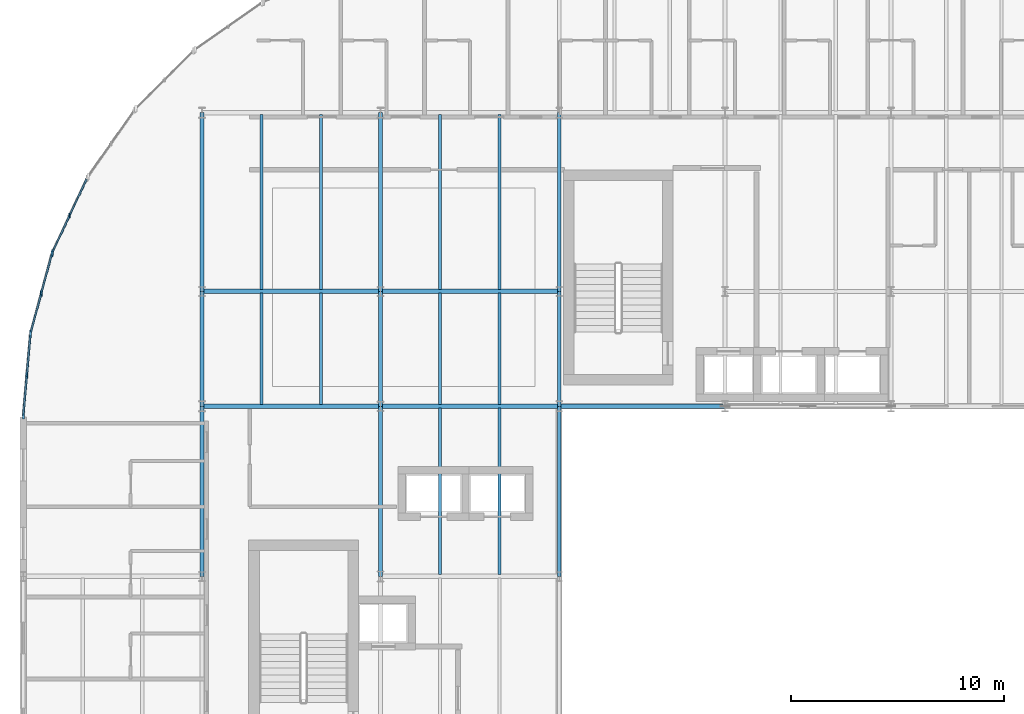
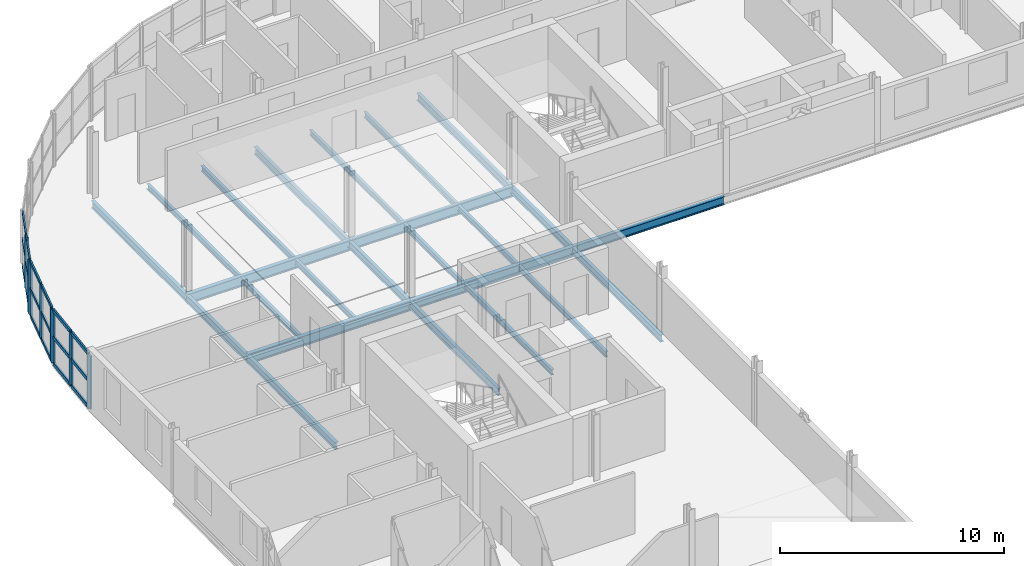
# One storey, part 9 of 36: 26 members, 24 beams, 3 elements without a shape of their own.
"""IFC4 building model written with IfcOpenShell, lengths in metres."""

from ifc_helpers import new_model, si_unit, direction, frame, origin, origin_2d, place, context, subcontext, project, spatial, rectangle, i_section, extrude, material, layer, layer_set, material_profile, profile_set, type_object, element, aggregate, save


model = new_model("IFC4")

# Units and contexts
model_context = context("Model", 3, precision=1e-05, world=origin(), true_north=direction((0.0, 1.0)))
body_context = subcontext(model_context, "Body", "Model", "MODEL_VIEW")
ifc_project = project(units=[si_unit("LENGTHUNIT", "METRE"), si_unit("AREAUNIT", "SQUARE_METRE"), si_unit("VOLUMEUNIT", "CUBIC_METRE"), si_unit("PLANEANGLEUNIT", "RADIAN"), si_unit("MASSUNIT", "GRAM", prefix="KILO")], contexts=[model_context])

# Site, building, storey
site_placement = place(None, origin())
site = spatial("IfcSite", under=ifc_project, at=site_placement, CompositionType="ELEMENT")
building_placement = place(site_placement, origin())
building = spatial("IfcBuilding", under=site, at=building_placement, Name="Sefraquen Railside Congress Hotel", CompositionType="ELEMENT")
storey_placement = place(building_placement, frame((0.0, 0.0, 24.60009765625)))
storey = spatial("IfcBuildingStorey", under=building, at=storey_placement, Name="L05", CompositionType="ELEMENT", Elevation=24.60009765625)

# Beams
ifc_material_1 = material(Name="Steel S355JR", Category="steel")
ifc_material_profile_1 = material_profile(ifc_material_1, i_section(OverallWidth=0.179931640625, OverallDepth=0.39990234375, WebThickness=0.008544921875, FlangeThickness=0.013427734375, FilletRadius=0.02099609375, at=origin_2d()), Name="IPE 400")
ifc_profile_set_1 = profile_set([ifc_material_profile_1], Name="Steel S355JR")
beam_type_1 = type_object("IfcBeamType", Name="TB-BM-400I", PredefinedType="BEAM", material=ifc_profile_set_1)
beam_1_placement = place(storey_placement, frame((8.39990234375, 88.0, -0.460205078125), z_axis=(0.0, 1.0, 0.0), x_axis=(-1.0, 0.0, 0.0)))
element("IfcBeam", 1, at=beam_1_placement, inside=storey, type_object=beam_type_1, Name="Floor beam BM-L05-1510", PredefinedType="BEAM", context=body_context, shape_type="SweptSolid", body=[
    extrude(i_section(OverallWidth=0.179931640625, OverallDepth=0.39990234375, WebThickness=0.008544921875, FlangeThickness=0.013427734375, FilletRadius=0.02099609375, at=origin_2d()), origin(), (0.0, 0.0, 1.0), 8.0),
])
beam_2_placement = place(storey_placement, frame((8.39990234375, 96.0, -0.460205078125), z_axis=(0.0, 1.0, 0.0), x_axis=(-1.0, 0.0, 0.0)))
element("IfcBeam", 2, at=beam_2_placement, inside=storey, type_object=beam_type_1, Name="Floor beam BM-L05-1511", PredefinedType="BEAM", context=body_context, shape_type="SweptSolid", body=[
    extrude(i_section(OverallWidth=0.179931640625, OverallDepth=0.39990234375, WebThickness=0.008544921875, FlangeThickness=0.013427734375, FilletRadius=0.02099609375, at=origin_2d()), origin(), (0.0, 0.0, 1.0), 5.39990234375),
])
beam_3_placement = place(storey_placement, frame((8.39990234375, 101.39990234375, -0.460205078125), z_axis=(0.0, 1.0, 0.0), x_axis=(-1.0, 0.0, 0.0)))
element("IfcBeam", 3, at=beam_3_placement, inside=storey, type_object=beam_type_1, Name="Floor beam BM-L05-1512", PredefinedType="BEAM", context=body_context, shape_type="SweptSolid", body=[
    extrude(i_section(OverallWidth=0.179931640625, OverallDepth=0.39990234375, WebThickness=0.008544921875, FlangeThickness=0.013427734375, FilletRadius=0.02099609375, at=origin_2d()), origin(), (0.0, 0.0, 1.0), 8.400146484375),
])
beam_4_placement = place(storey_placement, frame((16.800048828125, 88.0, -0.460205078125), z_axis=(0.0, 1.0, 0.0), x_axis=(-1.0, 0.0, 0.0)))
element("IfcBeam", 4, at=beam_4_placement, inside=storey, type_object=beam_type_1, Name="Floor beam BM-L05-1516", PredefinedType="BEAM", context=body_context, shape_type="SweptSolid", body=[
    extrude(i_section(OverallWidth=0.179931640625, OverallDepth=0.39990234375, WebThickness=0.008544921875, FlangeThickness=0.013427734375, FilletRadius=0.02099609375, at=origin_2d()), origin(), (0.0, 0.0, 1.0), 8.0),
])
beam_5_placement = place(storey_placement, frame((16.800048828125, 96.0, -0.460205078125), z_axis=(0.0, 1.0, 0.0), x_axis=(-1.0, 0.0, 0.0)))
element("IfcBeam", 5, at=beam_5_placement, inside=storey, type_object=beam_type_1, Name="Floor beam BM-L05-1517", PredefinedType="BEAM", context=body_context, shape_type="SweptSolid", body=[
    extrude(i_section(OverallWidth=0.179931640625, OverallDepth=0.39990234375, WebThickness=0.008544921875, FlangeThickness=0.013427734375, FilletRadius=0.02099609375, at=origin_2d()), origin(), (0.0, 0.0, 1.0), 5.39990234375),
])
beam_6_placement = place(storey_placement, frame((16.800048828125, 101.39990234375, -0.460205078125), z_axis=(0.0, 1.0, 0.0), x_axis=(-1.0, 0.0, 0.0)))
element("IfcBeam", 6, at=beam_6_placement, inside=storey, type_object=beam_type_1, Name="Floor beam BM-L05-1518", PredefinedType="BEAM", context=body_context, shape_type="SweptSolid", body=[
    extrude(i_section(OverallWidth=0.179931640625, OverallDepth=0.39990234375, WebThickness=0.008544921875, FlangeThickness=0.013427734375, FilletRadius=0.02099609375, at=origin_2d()), origin(), (0.0, 0.0, 1.0), 8.400146484375),
])
beam_7_placement = place(storey_placement, frame((25.199951171875, 88.0, -0.460205078125), z_axis=(0.0, 1.0, 0.0), x_axis=(-1.0, 0.0, 0.0)))
element("IfcBeam", 7, at=beam_7_placement, inside=storey, type_object=beam_type_1, Name="Floor beam BM-L05-1522", PredefinedType="BEAM", context=body_context, shape_type="SweptSolid", body=[
    extrude(i_section(OverallWidth=0.179931640625, OverallDepth=0.39990234375, WebThickness=0.008544921875, FlangeThickness=0.013427734375, FilletRadius=0.02099609375, at=origin_2d()), origin(), (0.0, 0.0, 1.0), 8.0),
])
beam_8_placement = place(storey_placement, frame((25.199951171875, 96.0, -0.460205078125), z_axis=(0.0, 1.0, 0.0), x_axis=(-1.0, 0.0, 0.0)))
element("IfcBeam", 8, at=beam_8_placement, inside=storey, type_object=beam_type_1, Name="Floor beam BM-L05-1523", PredefinedType="BEAM", context=body_context, shape_type="SweptSolid", body=[
    extrude(i_section(OverallWidth=0.179931640625, OverallDepth=0.39990234375, WebThickness=0.008544921875, FlangeThickness=0.013427734375, FilletRadius=0.02099609375, at=origin_2d()), origin(), (0.0, 0.0, 1.0), 5.39990234375),
])
beam_9_placement = place(storey_placement, frame((25.199951171875, 101.39990234375, -0.460205078125), z_axis=(0.0, 1.0, 0.0), x_axis=(-1.0, 0.0, 0.0)))
element("IfcBeam", 9, at=beam_9_placement, inside=storey, type_object=beam_type_1, Name="Floor beam BM-L05-1524", PredefinedType="BEAM", context=body_context, shape_type="SweptSolid", body=[
    extrude(i_section(OverallWidth=0.179931640625, OverallDepth=0.39990234375, WebThickness=0.008544921875, FlangeThickness=0.013427734375, FilletRadius=0.02099609375, at=origin_2d()), origin(), (0.0, 0.0, 1.0), 8.400146484375),
])
ifc_material_profile_2 = material_profile(ifc_material_1, i_section(OverallWidth=0.18994140625, OverallDepth=0.449951171875, WebThickness=0.009521484375, FlangeThickness=0.0146484375, FilletRadius=0.02099609375, at=origin_2d()), Name="IPE 450")
ifc_profile_set_2 = profile_set([ifc_material_profile_2], Name="Steel S355JR")
beam_type_2 = type_object("IfcBeamType", Name="TB-BM-450", PredefinedType="BEAM", material=ifc_profile_set_2)
beam_10_placement = place(storey_placement, frame((25.199951171875, 96.0, -0.485107421875), z_axis=(1.0, 0.0, 0.0), x_axis=(0.0, 1.0, 0.0)))
element("IfcBeam", 10, at=beam_10_placement, inside=storey, type_object=beam_type_2, Name="Primary girder BM-L05-1453", PredefinedType="BEAM", context=body_context, shape_type="SweptSolid", body=[
    extrude(i_section(OverallWidth=0.18994140625, OverallDepth=0.449951171875, WebThickness=0.009521484375, FlangeThickness=0.0146484375, FilletRadius=0.02099609375, at=origin_2d()), origin(), (0.0, 0.0, 1.0), 7.800048828125),
])
ifc_material_profile_3 = material_profile(ifc_material_1, i_section(OverallWidth=0.2099609375, OverallDepth=0.550048828125, WebThickness=0.010986328125, FlangeThickness=0.01708984375, FilletRadius=0.02392578125, at=origin_2d()), Name="IPE 550")
ifc_profile_set_3 = profile_set([ifc_material_profile_3], Name="Steel S355JR")
beam_type_3 = type_object("IfcBeamType", Name="TB-GIR-550", PredefinedType="T_BEAM", material=ifc_profile_set_3)
beam_11_placement = place(storey_placement, frame((8.39990234375, 96.0, -0.53515625), z_axis=(1.0, 0.0, 0.0), x_axis=(0.0, 1.0, 0.0)))
element("IfcBeam", 11, at=beam_11_placement, inside=storey, type_object=beam_type_3, Name="Primary girder BM-L05-1451", PredefinedType="T_BEAM", context=body_context, shape_type="SweptSolid", body=[
    extrude(i_section(OverallWidth=0.2099609375, OverallDepth=0.550048828125, WebThickness=0.010986328125, FlangeThickness=0.01708984375, FilletRadius=0.02392578125, at=origin_2d()), origin(), (0.0, 0.0, 1.0), 8.400146484375),
])
beam_12_placement = place(storey_placement, frame((16.800048828125, 96.0, -0.53515625), z_axis=(1.0, 0.0, 0.0), x_axis=(0.0, 1.0, 0.0)))
element("IfcBeam", 12, at=beam_12_placement, inside=storey, type_object=beam_type_3, Name="Primary girder BM-L05-1452", PredefinedType="T_BEAM", context=body_context, shape_type="SweptSolid", body=[
    extrude(i_section(OverallWidth=0.2099609375, OverallDepth=0.550048828125, WebThickness=0.010986328125, FlangeThickness=0.01708984375, FilletRadius=0.02392578125, at=origin_2d()), origin(), (0.0, 0.0, 1.0), 8.39990234375),
])
beam_13_placement = place(storey_placement, frame((8.39990234375, 101.39990234375, -0.53515625), z_axis=(1.0, 0.0, 0.0), x_axis=(0.0, 1.0, 0.0)))
element("IfcBeam", 13, at=beam_13_placement, inside=storey, type_object=beam_type_3, Name="Primary girder BM-L05-1466", PredefinedType="T_BEAM", context=body_context, shape_type="SweptSolid", body=[
    extrude(i_section(OverallWidth=0.2099609375, OverallDepth=0.550048828125, WebThickness=0.010986328125, FlangeThickness=0.01708984375, FilletRadius=0.02392578125, at=origin_2d()), origin(), (0.0, 0.0, 1.0), 8.400146484375),
])
beam_14_placement = place(storey_placement, frame((16.800048828125, 101.39990234375, -0.53515625), z_axis=(1.0, 0.0, 0.0), x_axis=(0.0, 1.0, 0.0)))
element("IfcBeam", 14, at=beam_14_placement, inside=storey, type_object=beam_type_3, Name="Primary girder BM-L05-1467", PredefinedType="T_BEAM", context=body_context, shape_type="SweptSolid", body=[
    extrude(i_section(OverallWidth=0.2099609375, OverallDepth=0.550048828125, WebThickness=0.010986328125, FlangeThickness=0.01708984375, FilletRadius=0.02392578125, at=origin_2d()), origin(), (0.0, 0.0, 1.0), 8.39990234375),
])
ifc_material_profile_4 = material_profile(ifc_material_1, i_section(OverallWidth=0.14990234375, OverallDepth=0.300048828125, WebThickness=0.007080078125, FlangeThickness=0.0107421875, FilletRadius=0.014892578125, at=origin_2d()), Name="IPE 300")
ifc_profile_set_4 = profile_set([ifc_material_profile_4], Name="Steel S355JR")
beam_type_4 = type_object("IfcBeamType", Name="TB-JST-300", PredefinedType="JOIST", material=ifc_profile_set_4)
for number, where, z_axis, x_axis, name in (
    (15, (11.199951171875, 96.0849609375, -0.41015625), (0.0, 1.0, 0.0), (-1.0, 0.0, 0.0), "Composite floor joist BM-L05-J0948"),
    (16, (14.0, 96.0849609375, -0.41015625), (0.0, 1.0, 0.0), (-1.0, 0.0, 0.0), "Composite floor joist BM-L05-J0949"),
):
    element("IfcBeam", number, at=place(storey_placement, frame(where, z_axis=z_axis, x_axis=x_axis)), inside=storey, type_object=beam_type_4, Name=name, PredefinedType="JOIST", context=body_context, shape_type="SweptSolid", body=[
        extrude(i_section(OverallWidth=0.14990234375, OverallDepth=0.300048828125, WebThickness=0.007080078125, FlangeThickness=0.0107421875, FilletRadius=0.014892578125, at=origin_2d()), origin(), (0.0, 0.0, 1.0), 5.22998046875),
    ])
for number, where, z_axis, x_axis, name in (
    (17, (11.199951171875, 101.485107421875, -0.41015625), (0.0, 1.0, 0.0), (-1.0, 0.0, 0.0), "Composite floor joist BM-L05-J0950"),
    (18, (14.0, 101.485107421875, -0.41015625), (0.0, 1.0, 0.0), (-1.0, 0.0, 0.0), "Composite floor joist BM-L05-J0951"),
):
    element("IfcBeam", number, at=place(storey_placement, frame(where, z_axis=z_axis, x_axis=x_axis)), inside=storey, type_object=beam_type_4, Name=name, PredefinedType="JOIST", context=body_context, shape_type="SweptSolid", body=[
        extrude(i_section(OverallWidth=0.14990234375, OverallDepth=0.300048828125, WebThickness=0.007080078125, FlangeThickness=0.0107421875, FilletRadius=0.014892578125, at=origin_2d()), origin(), (0.0, 0.0, 1.0), 8.22998046875),
    ])
for number, where, z_axis, x_axis, name in (
    (19, (19.60009765625, 88.0849609375, -0.41015625), (0.0, 1.0, 0.0), (-1.0, 0.0, 0.0), "Composite floor joist BM-L05-J0958"),
    (20, (22.39990234375, 88.0849609375, -0.41015625), (0.0, 1.0, 0.0), (-1.0, 0.0, 0.0), "Composite floor joist BM-L05-J0959"),
):
    element("IfcBeam", number, at=place(storey_placement, frame(where, z_axis=z_axis, x_axis=x_axis)), inside=storey, type_object=beam_type_4, Name=name, PredefinedType="JOIST", context=body_context, shape_type="SweptSolid", body=[
        extrude(i_section(OverallWidth=0.14990234375, OverallDepth=0.300048828125, WebThickness=0.007080078125, FlangeThickness=0.0107421875, FilletRadius=0.014892578125, at=origin_2d()), origin(), (0.0, 0.0, 1.0), 7.830078125),
    ])
for number, where, z_axis, x_axis, name in (
    (21, (19.60009765625, 96.0849609375, -0.41015625), (0.0, 1.0, 0.0), (-1.0, 0.0, 0.0), "Composite floor joist BM-L05-J0960"),
    (22, (22.39990234375, 96.0849609375, -0.41015625), (0.0, 1.0, 0.0), (-1.0, 0.0, 0.0), "Composite floor joist BM-L05-J0961"),
):
    element("IfcBeam", number, at=place(storey_placement, frame(where, z_axis=z_axis, x_axis=x_axis)), inside=storey, type_object=beam_type_4, Name=name, PredefinedType="JOIST", context=body_context, shape_type="SweptSolid", body=[
        extrude(i_section(OverallWidth=0.14990234375, OverallDepth=0.300048828125, WebThickness=0.007080078125, FlangeThickness=0.0107421875, FilletRadius=0.014892578125, at=origin_2d()), origin(), (0.0, 0.0, 1.0), 5.22998046875),
    ])
for number, where, z_axis, x_axis, name in (
    (23, (19.60009765625, 101.485107421875, -0.41015625), (0.0, 1.0, 0.0), (-1.0, 0.0, 0.0), "Composite floor joist BM-L05-J0962"),
    (24, (22.39990234375, 101.485107421875, -0.41015625), (0.0, 1.0, 0.0), (-1.0, 0.0, 0.0), "Composite floor joist BM-L05-J0963"),
):
    element("IfcBeam", number, at=place(storey_placement, frame(where, z_axis=z_axis, x_axis=x_axis)), inside=storey, type_object=beam_type_4, Name=name, PredefinedType="JOIST", context=body_context, shape_type="SweptSolid", body=[
        extrude(i_section(OverallWidth=0.14990234375, OverallDepth=0.300048828125, WebThickness=0.007080078125, FlangeThickness=0.0107421875, FilletRadius=0.014892578125, at=origin_2d()), origin(), (0.0, 0.0, 1.0), 8.22998046875),
    ])

# Curtain wall, member
ifc_material_2 = material(Name="Thermally broken anodised aluminium and low-E double glazing", Category="aluminium")
ifc_layer_1 = layer(ifc_material_2, 0.199951171875)
ifc_layer_set_1 = layer_set([ifc_layer_1], Name="Thermally broken anodised aluminium and low-E double glazing")
curtain_wall_type_1 = type_object("IfcCurtainWallType", Name="TCW-UCW-20", PredefinedType="USERDEFINED", material=ifc_layer_set_1)
curtain_wall_1_placement = place(storey_placement, origin())
curtain_wall_1 = element("IfcCurtainWall", 25, at=curtain_wall_1_placement, inside=storey, type_object=curtain_wall_type_1, Name="Rotunda L05 curved curtain wall facet 7", ObjectType="UNITISED CURTAIN WALL", PredefinedType="USERDEFINED")
ifc_material_3 = material(Name="Thermally broken anodised aluminium 6063-T6", Category="aluminium")
ifc_material_profile_5 = material_profile(ifc_material_3, rectangle(XDim=0.074951171875, YDim=0.219970703125, at=origin_2d()), Name="CWM 75x220")
ifc_profile_set_5 = profile_set([ifc_material_profile_5], Name="Thermally broken anodised aluminium 6063-T6")
member_type_1 = type_object("IfcMemberType", Name="TM-CWM-04", PredefinedType="MULLION", material=ifc_profile_set_5)
member_1_placement = place(storey_placement, frame((2.185546875, 104.972900390625, 0.0), z_axis=(0.0, 0.0, 1.0), x_axis=(1.0, 0.0, 0.0)))
member_1 = element("IfcMember", 26, at=member_1_placement, type_object=member_type_1, Name="CW-L05-ROT-07 mullion 2", PredefinedType="MULLION", context=body_context, shape_type="SweptSolid", body=[
    extrude(rectangle(XDim=0.074951171875, YDim=0.219970703125, at=origin_2d()), origin(), (0.0, 0.0, 1.0), 2.889892578125),
])

ifc_layer_2 = layer(ifc_material_2, 0.199951171875)
ifc_layer_set_2 = layer_set([ifc_layer_2], Name="Thermally broken anodised aluminium and low-E double glazing")
curtain_wall_type_2 = type_object("IfcCurtainWallType", Name="TCW-UCW-21", PredefinedType="USERDEFINED", material=ifc_layer_set_2)
curtain_wall_2_placement = place(storey_placement, origin())
curtain_wall_2 = element("IfcCurtainWall", 27, at=curtain_wall_2_placement, inside=storey, type_object=curtain_wall_type_2, Name="Rotunda L05 curved curtain wall facet 8", ObjectType="UNITISED CURTAIN WALL", PredefinedType="USERDEFINED")
ifc_material_profile_6 = material_profile(ifc_material_3, rectangle(XDim=0.080078125, YDim=0.239990234375, at=origin_2d()), Name="CWM 80x240")
ifc_profile_set_6 = profile_set([ifc_material_profile_6], Name="Thermally broken anodised aluminium 6063-T6")
member_type_2 = type_object("IfcMemberType", Name="TM-CWM-05", PredefinedType="MULLION", material=ifc_profile_set_6)
member_2_placement = place(storey_placement, frame((0.849365234375, 101.30126953125, 0.0), z_axis=(0.0, 0.0, 1.0), x_axis=(1.0, 0.0, 0.0)))
member_2 = element("IfcMember", 28, at=member_2_placement, type_object=member_type_2, Name="CW-L05-ROT-08 mullion 2", PredefinedType="MULLION", context=body_context, shape_type="SweptSolid", body=[
    extrude(rectangle(XDim=0.080078125, YDim=0.239990234375, at=origin_2d()), origin(), (0.0, 0.0, 1.0), 2.889892578125),
])

ifc_layer_3 = layer(ifc_material_2, 0.199951171875)
ifc_layer_set_3 = layer_set([ifc_layer_3], Name="Thermally broken anodised aluminium and low-E double glazing")
curtain_wall_type_3 = type_object("IfcCurtainWallType", Name="TCW-UCW-22", PredefinedType="USERDEFINED", material=ifc_layer_set_3)
curtain_wall_3_placement = place(storey_placement, origin())
curtain_wall_3 = element("IfcCurtainWall", 29, at=curtain_wall_3_placement, inside=storey, type_object=curtain_wall_type_3, Name="Rotunda L05 curved curtain wall facet 9", ObjectType="UNITISED CURTAIN WALL", PredefinedType="USERDEFINED")
ifc_material_profile_7 = material_profile(ifc_material_3, rectangle(XDim=0.0849609375, YDim=0.260009765625, at=origin_2d()), Name="CWM 85x260")
ifc_profile_set_7 = profile_set([ifc_material_profile_7], Name="Thermally broken anodised aluminium 6063-T6")
member_type_3 = type_object("IfcMemberType", Name="TM-CWM-06", PredefinedType="MULLION", material=ifc_profile_set_7)
member_3_placement = place(storey_placement, frame((0.1708984375, 97.45361328125, 0.0), z_axis=(0.0, 0.0, 1.0), x_axis=(1.0, 0.0, 0.0)))
member_3 = element("IfcMember", 30, at=member_3_placement, type_object=member_type_3, Name="CW-L05-ROT-09 mullion 2", PredefinedType="MULLION", context=body_context, shape_type="SweptSolid", body=[
    extrude(rectangle(XDim=0.0849609375, YDim=0.260009765625, at=origin_2d()), origin(), (0.0, 0.0, 1.0), 2.889892578125),
])

# Member
ifc_material_profile_8 = material_profile(ifc_material_3, rectangle(XDim=0.094970703125, YDim=0.300048828125, at=origin_2d()), Name="CWM 95x300")
ifc_profile_set_8 = profile_set([ifc_material_profile_8], Name="Thermally broken anodised aluminium 6063-T6")
member_type_4 = type_object("IfcMemberType", Name="TM-CWM-08", PredefinedType="MULLION", material=ifc_profile_set_8)
member_4_placement = place(storey_placement, frame((1.373779296875, 103.231689453125, 0.0), z_axis=(0.0, 0.0, 1.0), x_axis=(1.0, 0.0, 0.0)))
member_4 = element("IfcMember", 31, at=member_4_placement, type_object=member_type_4, Name="CW-L05-ROT-07 mullion 3", PredefinedType="MULLION", context=body_context, shape_type="SweptSolid", body=[
    extrude(rectangle(XDim=0.094970703125, YDim=0.300048828125, at=origin_2d()), origin(), (0.0, 0.0, 1.0), 2.889892578125),
])

member_5_placement = place(storey_placement, frame((1.346435546875, 103.156982421875, 0.0), z_axis=(0.0, 0.0, 1.0), x_axis=(1.0, 0.0, 0.0)))
member_5 = element("IfcMember", 32, at=member_5_placement, type_object=member_type_4, Name="CW-L05-ROT-08 mullion 1", PredefinedType="MULLION", context=body_context, shape_type="SweptSolid", body=[
    extrude(rectangle(XDim=0.094970703125, YDim=0.300048828125, at=origin_2d()), origin(), (0.0, 0.0, 1.0), 2.889892578125),
])

member_6_placement = place(storey_placement, frame((0.352294921875, 99.44580078125, 0.0), z_axis=(0.0, 0.0, 1.0), x_axis=(1.0, 0.0, 0.0)))
member_6 = element("IfcMember", 33, at=member_6_placement, type_object=member_type_4, Name="CW-L05-ROT-08 mullion 3", PredefinedType="MULLION", context=body_context, shape_type="SweptSolid", body=[
    extrude(rectangle(XDim=0.094970703125, YDim=0.300048828125, at=origin_2d()), origin(), (0.0, 0.0, 1.0), 2.889892578125),
])

member_7_placement = place(storey_placement, frame((0.33837890625, 99.3671875, 0.0), z_axis=(0.0, 0.0, 1.0), x_axis=(1.0, 0.0, 0.0)))
member_7 = element("IfcMember", 34, at=member_7_placement, type_object=member_type_4, Name="CW-L05-ROT-09 mullion 1", PredefinedType="MULLION", context=body_context, shape_type="SweptSolid", body=[
    extrude(rectangle(XDim=0.094970703125, YDim=0.300048828125, at=origin_2d()), origin(), (0.0, 0.0, 1.0), 2.889892578125),
])

member_8_placement = place(storey_placement, frame((0.00341796875, 95.539794921875, 0.0), z_axis=(0.0, 0.0, 1.0), x_axis=(1.0, 0.0, 0.0)))
member_8 = element("IfcMember", 35, at=member_8_placement, type_object=member_type_4, Name="CW-L05-ROT-09 mullion 3", PredefinedType="MULLION", context=body_context, shape_type="SweptSolid", body=[
    extrude(rectangle(XDim=0.094970703125, YDim=0.300048828125, at=origin_2d()), origin(), (0.0, 0.0, 1.0), 2.889892578125),
])

ifc_material_profile_9 = material_profile(ifc_material_3, rectangle(XDim=0.074951171875, YDim=0.1650390625, at=origin_2d()), Name="CWT 75x165")
ifc_profile_set_9 = profile_set([ifc_material_profile_9], Name="Thermally broken anodised aluminium 6063-T6")
member_type_5 = type_object("IfcMemberType", Name="TM-CWT-04", PredefinedType="USERDEFINED", material=ifc_profile_set_9)
member_9_placement = place(storey_placement, frame((2.978515625, 106.6728515625, 0.0), z_axis=(-0.422673771403, -0.906281900386, 0.0), x_axis=(0.906281900386, -0.422673771403, 0.0)))
member_9 = element("IfcMember", 36, at=member_9_placement, type_object=member_type_5, Name="CW-L05-ROT-07 transom 1.1", ObjectType="TRANSOM", PredefinedType="USERDEFINED", context=body_context, shape_type="SweptSolid", body=[
    extrude(rectangle(XDim=0.074951171875, YDim=0.1650390625, at=origin_2d()), origin(), (0.0, 0.0, 1.0), 1.8310546875),
])

member_10_placement = place(storey_placement, frame((2.166748046875, 104.931884765625, 0.0), z_axis=(-0.422724852641, -0.906258075252, 0.0), x_axis=(0.906258075252, -0.422724852641, 0.0)))
member_10 = element("IfcMember", 37, at=member_10_placement, type_object=member_type_5, Name="CW-L05-ROT-07 transom 1.2", ObjectType="TRANSOM", PredefinedType="USERDEFINED", context=body_context, shape_type="SweptSolid", body=[
    extrude(rectangle(XDim=0.074951171875, YDim=0.1650390625, at=origin_2d()), origin(), (0.0, 0.0, 1.0), 1.830810546875),
])

member_11_placement = place(storey_placement, frame((2.978515625, 106.6728515625, 1.44482421875), z_axis=(-0.422673771403, -0.906281900386, 0.0), x_axis=(0.906281900386, -0.422673771403, 0.0)))
member_11 = element("IfcMember", 38, at=member_11_placement, type_object=member_type_5, Name="CW-L05-ROT-07 transom 2.1", ObjectType="TRANSOM", PredefinedType="USERDEFINED", context=body_context, shape_type="SweptSolid", body=[
    extrude(rectangle(XDim=0.074951171875, YDim=0.1650390625, at=origin_2d()), origin(), (0.0, 0.0, 1.0), 1.8310546875),
])

member_12_placement = place(storey_placement, frame((2.166748046875, 104.931884765625, 1.44482421875), z_axis=(-0.422724852641, -0.906258075252, 0.0), x_axis=(0.906258075252, -0.422724852641, 0.0)))
member_12 = element("IfcMember", 39, at=member_12_placement, type_object=member_type_5, Name="CW-L05-ROT-07 transom 2.2", ObjectType="TRANSOM", PredefinedType="USERDEFINED", context=body_context, shape_type="SweptSolid", body=[
    extrude(rectangle(XDim=0.074951171875, YDim=0.1650390625, at=origin_2d()), origin(), (0.0, 0.0, 1.0), 1.830810546875),
])

member_13_placement = place(storey_placement, frame((2.978515625, 106.6728515625, 2.889892578125), z_axis=(-0.422673771403, -0.906281900386, 0.0), x_axis=(0.906281900386, -0.422673771403, 0.0)))
member_13 = element("IfcMember", 40, at=member_13_placement, type_object=member_type_5, Name="CW-L05-ROT-07 transom 3.1", ObjectType="TRANSOM", PredefinedType="USERDEFINED", context=body_context, shape_type="SweptSolid", body=[
    extrude(rectangle(XDim=0.074951171875, YDim=0.1650390625, at=origin_2d()), origin(), (0.0, 0.0, 1.0), 1.8310546875),
])

member_14_placement = place(storey_placement, frame((2.166748046875, 104.931884765625, 2.889892578125), z_axis=(-0.422724852641, -0.906258075252, 0.0), x_axis=(0.906258075252, -0.422724852641, 0.0)))
member_14 = element("IfcMember", 41, at=member_14_placement, type_object=member_type_5, Name="CW-L05-ROT-07 transom 3.2", ObjectType="TRANSOM", PredefinedType="USERDEFINED", context=body_context, shape_type="SweptSolid", body=[
    extrude(rectangle(XDim=0.074951171875, YDim=0.1650390625, at=origin_2d()), origin(), (0.0, 0.0, 1.0), 1.830810546875),
])

aggregate(curtain_wall_1, [member_1, member_4, member_9, member_10, member_11, member_12, member_13, member_14])

ifc_material_profile_10 = material_profile(ifc_material_3, rectangle(XDim=0.080078125, YDim=0.179931640625, at=origin_2d()), Name="CWT 80x180")
ifc_profile_set_10 = profile_set([ifc_material_profile_10], Name="Thermally broken anodised aluminium 6063-T6")
member_type_6 = type_object("IfcMemberType", Name="TM-CWT-05", PredefinedType="USERDEFINED", material=ifc_profile_set_10)
member_15_placement = place(storey_placement, frame((1.3349609375, 103.11328125, 0.0), z_axis=(-0.25894046868, -0.965893282759, 0.0), x_axis=(0.965893282759, -0.25894046868, 0.0)))
member_15 = element("IfcMember", 42, at=member_15_placement, type_object=member_type_6, Name="CW-L05-ROT-08 transom 1.1", ObjectType="TRANSOM", PredefinedType="USERDEFINED", context=body_context, shape_type="SweptSolid", body=[
    extrude(rectangle(XDim=0.080078125, YDim=0.179931640625, at=origin_2d()), origin(), (0.0, 0.0, 1.0), 1.8310546875),
])

member_16_placement = place(storey_placement, frame((0.837646484375, 101.2578125, 0.0), z_axis=(-0.258816065499, -0.965926624666, 0.0), x_axis=(0.965926624666, -0.258816065499, 0.0)))
member_16 = element("IfcMember", 43, at=member_16_placement, type_object=member_type_6, Name="CW-L05-ROT-08 transom 1.2", ObjectType="TRANSOM", PredefinedType="USERDEFINED", context=body_context, shape_type="SweptSolid", body=[
    extrude(rectangle(XDim=0.080078125, YDim=0.179931640625, at=origin_2d()), origin(), (0.0, 0.0, 1.0), 1.8310546875),
])

member_17_placement = place(storey_placement, frame((1.3349609375, 103.11328125, 1.44482421875), z_axis=(-0.25894046868, -0.965893282759, 0.0), x_axis=(0.965893282759, -0.25894046868, 0.0)))
member_17 = element("IfcMember", 44, at=member_17_placement, type_object=member_type_6, Name="CW-L05-ROT-08 transom 2.1", ObjectType="TRANSOM", PredefinedType="USERDEFINED", context=body_context, shape_type="SweptSolid", body=[
    extrude(rectangle(XDim=0.080078125, YDim=0.179931640625, at=origin_2d()), origin(), (0.0, 0.0, 1.0), 1.8310546875),
])

member_18_placement = place(storey_placement, frame((0.837646484375, 101.2578125, 1.44482421875), z_axis=(-0.258816065499, -0.965926624666, 0.0), x_axis=(0.965926624666, -0.258816065499, 0.0)))
member_18 = element("IfcMember", 45, at=member_18_placement, type_object=member_type_6, Name="CW-L05-ROT-08 transom 2.2", ObjectType="TRANSOM", PredefinedType="USERDEFINED", context=body_context, shape_type="SweptSolid", body=[
    extrude(rectangle(XDim=0.080078125, YDim=0.179931640625, at=origin_2d()), origin(), (0.0, 0.0, 1.0), 1.8310546875),
])

member_19_placement = place(storey_placement, frame((1.3349609375, 103.11328125, 2.889892578125), z_axis=(-0.25894046868, -0.965893282759, 0.0), x_axis=(0.965893282759, -0.25894046868, 0.0)))
member_19 = element("IfcMember", 46, at=member_19_placement, type_object=member_type_6, Name="CW-L05-ROT-08 transom 3.1", ObjectType="TRANSOM", PredefinedType="USERDEFINED", context=body_context, shape_type="SweptSolid", body=[
    extrude(rectangle(XDim=0.080078125, YDim=0.179931640625, at=origin_2d()), origin(), (0.0, 0.0, 1.0), 1.8310546875),
])

member_20_placement = place(storey_placement, frame((0.837646484375, 101.2578125, 2.889892578125), z_axis=(-0.258816065499, -0.965926624666, 0.0), x_axis=(0.965926624666, -0.258816065499, 0.0)))
member_20 = element("IfcMember", 47, at=member_20_placement, type_object=member_type_6, Name="CW-L05-ROT-08 transom 3.2", ObjectType="TRANSOM", PredefinedType="USERDEFINED", context=body_context, shape_type="SweptSolid", body=[
    extrude(rectangle(XDim=0.080078125, YDim=0.179931640625, at=origin_2d()), origin(), (0.0, 0.0, 1.0), 1.8310546875),
])

aggregate(curtain_wall_2, [member_5, member_2, member_6, member_15, member_16, member_17, member_18, member_19, member_20])

ifc_material_profile_11 = material_profile(ifc_material_3, rectangle(XDim=0.0849609375, YDim=0.195068359375, at=origin_2d()), Name="CWT 85x195")
ifc_profile_set_11 = profile_set([ifc_material_profile_11], Name="Thermally broken anodised aluminium 6063-T6")
member_type_7 = type_object("IfcMemberType", Name="TM-CWT-06", PredefinedType="USERDEFINED", material=ifc_profile_set_11)
member_21_placement = place(storey_placement, frame((0.33447265625, 99.322509765625, 0.0), z_axis=(-0.087193412302, -0.996191401715, 0.0), x_axis=(0.996191401715, -0.087193412302, 0.0)))
member_21 = element("IfcMember", 48, at=member_21_placement, type_object=member_type_7, Name="CW-L05-ROT-09 transom 1.1", ObjectType="TRANSOM", PredefinedType="USERDEFINED", context=body_context, shape_type="SweptSolid", body=[
    extrude(rectangle(XDim=0.0849609375, YDim=0.195068359375, at=origin_2d()), origin(), (0.0, 0.0, 1.0), 1.831298828125),
])

member_22_placement = place(storey_placement, frame((0.1669921875, 97.40869140625, 0.0), z_axis=(-0.08720499447, -0.996190387898, 0.0), x_axis=(0.996190387898, -0.08720499447, 0.0)))
member_22 = element("IfcMember", 49, at=member_22_placement, type_object=member_type_7, Name="CW-L05-ROT-09 transom 1.2", ObjectType="TRANSOM", PredefinedType="USERDEFINED", context=body_context, shape_type="SweptSolid", body=[
    extrude(rectangle(XDim=0.0849609375, YDim=0.195068359375, at=origin_2d()), origin(), (0.0, 0.0, 1.0), 1.8310546875),
])

member_23_placement = place(storey_placement, frame((0.33447265625, 99.322509765625, 1.44482421875), z_axis=(-0.087193412302, -0.996191401715, 0.0), x_axis=(0.996191401715, -0.087193412302, 0.0)))
member_23 = element("IfcMember", 50, at=member_23_placement, type_object=member_type_7, Name="CW-L05-ROT-09 transom 2.1", ObjectType="TRANSOM", PredefinedType="USERDEFINED", context=body_context, shape_type="SweptSolid", body=[
    extrude(rectangle(XDim=0.0849609375, YDim=0.195068359375, at=origin_2d()), origin(), (0.0, 0.0, 1.0), 1.831298828125),
])

member_24_placement = place(storey_placement, frame((0.1669921875, 97.40869140625, 1.44482421875), z_axis=(-0.08720499447, -0.996190387898, 0.0), x_axis=(0.996190387898, -0.08720499447, 0.0)))
member_24 = element("IfcMember", 51, at=member_24_placement, type_object=member_type_7, Name="CW-L05-ROT-09 transom 2.2", ObjectType="TRANSOM", PredefinedType="USERDEFINED", context=body_context, shape_type="SweptSolid", body=[
    extrude(rectangle(XDim=0.0849609375, YDim=0.195068359375, at=origin_2d()), origin(), (0.0, 0.0, 1.0), 1.8310546875),
])

member_25_placement = place(storey_placement, frame((0.33447265625, 99.322509765625, 2.889892578125), z_axis=(-0.087193412302, -0.996191401715, 0.0), x_axis=(0.996191401715, -0.087193412302, 0.0)))
member_25 = element("IfcMember", 52, at=member_25_placement, type_object=member_type_7, Name="CW-L05-ROT-09 transom 3.1", ObjectType="TRANSOM", PredefinedType="USERDEFINED", context=body_context, shape_type="SweptSolid", body=[
    extrude(rectangle(XDim=0.0849609375, YDim=0.195068359375, at=origin_2d()), origin(), (0.0, 0.0, 1.0), 1.831298828125),
])

member_26_placement = place(storey_placement, frame((0.1669921875, 97.40869140625, 2.889892578125), z_axis=(-0.08720499447, -0.996190387898, 0.0), x_axis=(0.996190387898, -0.08720499447, 0.0)))
member_26 = element("IfcMember", 53, at=member_26_placement, type_object=member_type_7, Name="CW-L05-ROT-09 transom 3.2", ObjectType="TRANSOM", PredefinedType="USERDEFINED", context=body_context, shape_type="SweptSolid", body=[
    extrude(rectangle(XDim=0.0849609375, YDim=0.195068359375, at=origin_2d()), origin(), (0.0, 0.0, 1.0), 1.8310546875),
])

aggregate(curtain_wall_3, [member_7, member_3, member_8, member_21, member_22, member_23, member_24, member_25, member_26])

save(model, "model.ifc")
